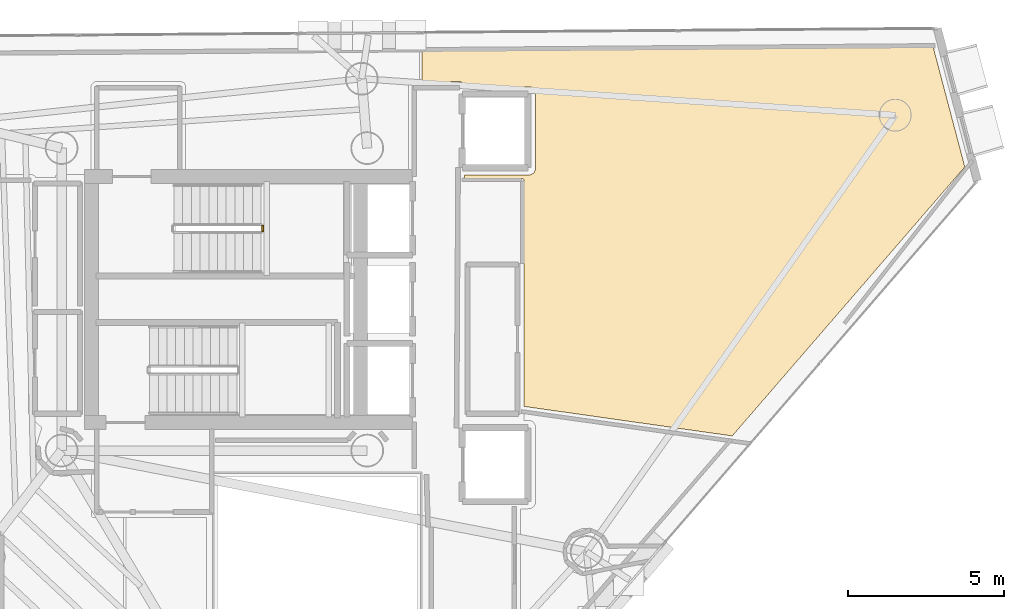
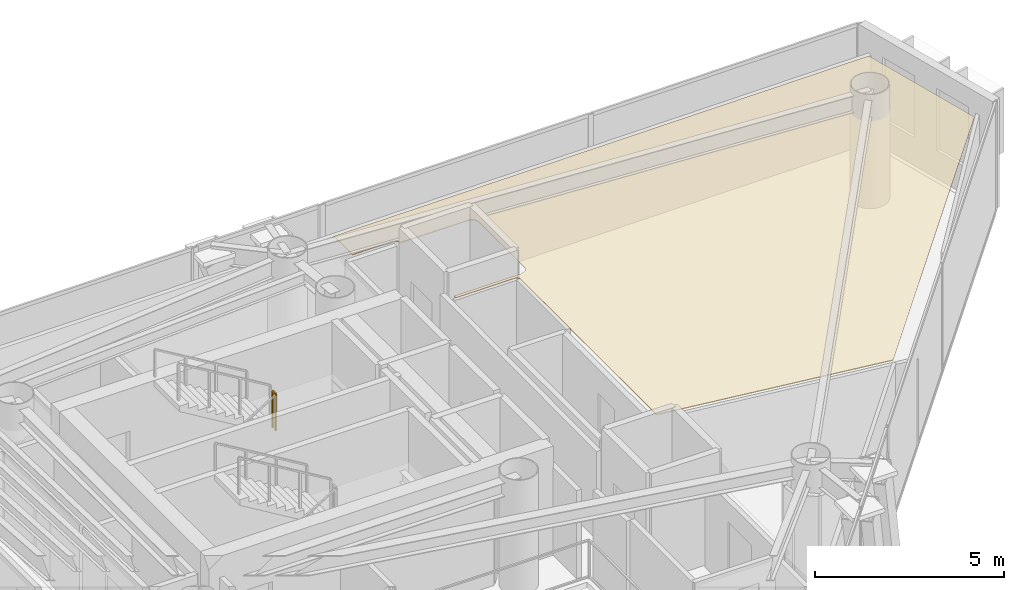
# One storey, part 21 of 21: 1 covering, 1 railing.
"""IFC4 building model written with IfcOpenShell, lengths in metres."""

from ifc_helpers import new_model, si_unit, direction, frame, origin, origin_2d, place, context, subcontext, project, spatial, polyline, rectangle, outline, extrude, material, layer, layer_set, type_object, element, save


model = new_model("IFC4")

# Units and contexts
model_context = context("Model", 3, precision=1e-05, world=origin(), true_north=direction((0.0, 1.0)))
body_context = subcontext(model_context, "Body", "Model", "MODEL_VIEW")
ifc_project = project(units=[si_unit("LENGTHUNIT", "METRE"), si_unit("AREAUNIT", "SQUARE_METRE"), si_unit("VOLUMEUNIT", "CUBIC_METRE"), si_unit("PLANEANGLEUNIT", "RADIAN"), si_unit("MASSUNIT", "GRAM", prefix="KILO")], contexts=[model_context])

# Site, building, storey
site_placement = place(None, origin())
site = spatial("IfcSite", under=ifc_project, at=site_placement, CompositionType="ELEMENT")
building_placement = place(site_placement, origin())
building = spatial("IfcBuilding", under=site, at=building_placement, Name="Qianvela Tower", CompositionType="ELEMENT")
storey_placement = place(building_placement, frame((0.0, 0.0, 253.800048828125)))
storey = spatial("IfcBuildingStorey", under=building, at=storey_placement, Name="L65", CompositionType="ELEMENT", Elevation=253.800048828125)

# Covering
ifc_material_1 = material(Name="Perforated Mineral Acoustic Ceiling Tile")
ifc_layer = layer(ifc_material_1, 0.02490234375)
ifc_layer_set = layer_set([ifc_layer], Name="Perforated Mineral Acoustic Ceiling Tile")
covering_type = type_object("IfcCoveringType", Name="COV-CEIL-ACOUSTIC-25", PredefinedType="CEILING", material=ifc_layer_set)
covering_placement = place(storey_placement, frame((0.0, 0.0, 2.81494140625)))
element("IfcCovering", 1, at=covering_placement, inside=storey, type_object=covering_type, Name="L65 Acoustic Ceiling Bay 2 Print Copy Kiosk L65-04", PredefinedType="CEILING", context=body_context, shape_type="SweptSolid", body=[
    extrude(outline(polyline([(56.55029296875, 36.782958984375), (57.5625, 32.9453125), (50.1044921875, 24.319580078125), (43.429931640625, 25.266845703125), (43.429931640625, 32.5), (43.4296875, 32.5078125), (43.428466796875, 32.515625), (43.426513671875, 32.523193359375), (43.423828125, 32.530517578125), (43.420654296875, 32.53759765625), (43.41650390625, 32.54443359375), (43.411865234375, 32.55078125), (43.406494140625, 32.556640625), (43.40087890625, 32.561767578125), (43.394287109375, 32.56640625), (43.3876953125, 32.570556640625), (43.380615234375, 32.573974609375), (43.373291015625, 32.57666015625), (43.365478515625, 32.57861328125), (43.35791015625, 32.57958984375), (43.35009765625, 32.580078125), (41.52001953125, 32.580078125), (41.52001953125, 32.679931640625), (43.580078125, 32.679931640625), (43.587158203125, 32.680419921875), (43.593994140625, 32.68115234375), (43.60107421875, 32.682861328125), (43.607666015625, 32.684814453125), (43.6142578125, 32.687744140625), (43.722412109375, 32.739013671875), (43.729248046875, 32.74267578125), (43.73583984375, 32.746826171875), (43.741943359375, 32.751953125), (43.74755859375, 32.757568359375), (43.75244140625, 32.763427734375), (43.7568359375, 32.77001953125), (43.760498046875, 32.777099609375), (43.763427734375, 32.7841796875), (43.79541015625, 32.873046875), (43.7978515625, 32.8818359375), (43.799560546875, 32.890869140625), (43.800048828125, 32.89990234375), (43.800048828125, 35.300048828125), (43.799560546875, 35.30908203125), (43.7978515625, 35.318115234375), (43.79541015625, 35.326904296875), (43.763427734375, 35.415771484375), (43.7607421875, 35.422607421875), (43.75732421875, 35.428955078125), (43.75341796875, 35.43505859375), (43.7490234375, 35.44091796875), (43.743896484375, 35.4462890625), (43.738525390625, 35.450927734375), (43.732666015625, 35.455322265625), (43.6650390625, 35.50048828125), (43.658447265625, 35.50439453125), (43.6513671875, 35.5078125), (43.64404296875, 35.510498046875), (43.636474609375, 35.512451171875), (43.628662109375, 35.513671875), (43.620849609375, 35.513916015625), (41.515625, 35.519775390625), (41.513916015625, 35.554931640625), (41.512939453125, 35.562744140625), (41.511474609375, 35.5703125), (41.509033203125, 35.577880859375), (41.506103515625, 35.585205078125), (41.50244140625, 35.591796875), (41.498046875, 35.598388671875), (41.4931640625, 35.6044921875), (41.487548828125, 35.60986328125), (41.481689453125, 35.614990234375), (41.41552734375, 35.663818359375), (41.409423828125, 35.66796875), (41.40283203125, 35.67138671875), (41.39599609375, 35.674560546875), (41.38916015625, 35.6767578125), (41.3818359375, 35.678466796875), (41.37451171875, 35.67919921875), (41.3671875, 35.6796875), (40.15380859375, 35.669189453125), (40.15380859375, 36.65478515625), (56.55029296875, 36.782958984375)])), origin(), (0.0, 0.0, 1.0), 0.02490234375),
])

# Railing
ifc_material_2 = material(Name="Painted Tubular Steel Q355B", Category="steel")
railing_type = type_object("IfcRailingType", Name="RL-STAIR-GUARD-1200", PredefinedType="GUARDRAIL", material=ifc_material_2)
railing_placement = place(storey_placement, frame((35.050048828125, 30.889892578125, 1.849853515625)))
element("IfcRailing", 2, at=railing_placement, inside=storey, type_object=railing_type, Name="L65 ST-1 stair guard 2", PredefinedType="GUARDRAIL", context=body_context, shape_type="SweptSolid", body=[
    extrude(rectangle(XDim=0.050048828125, YDim=0.0400390625, at=origin_2d()), frame((0.0, 0.0, 1.179931640625), z_axis=(0.0, 1.0, 0.0), x_axis=(-1.0, 0.0, 0.0)), (0.0, 0.0, 1.0), 0.16015625),
    extrude(rectangle(XDim=0.050048828125, YDim=0.050048828125, at=origin_2d()), origin(), (0.0, 0.0, 1.0), 1.159912109375),
    extrude(rectangle(XDim=0.050048828125, YDim=0.050048828125, at=origin_2d()), frame((0.0, 0.16015625, 0.0)), (0.0, 0.0, 1.0), 1.159912109375),
])

save(model, "model.ifc")
